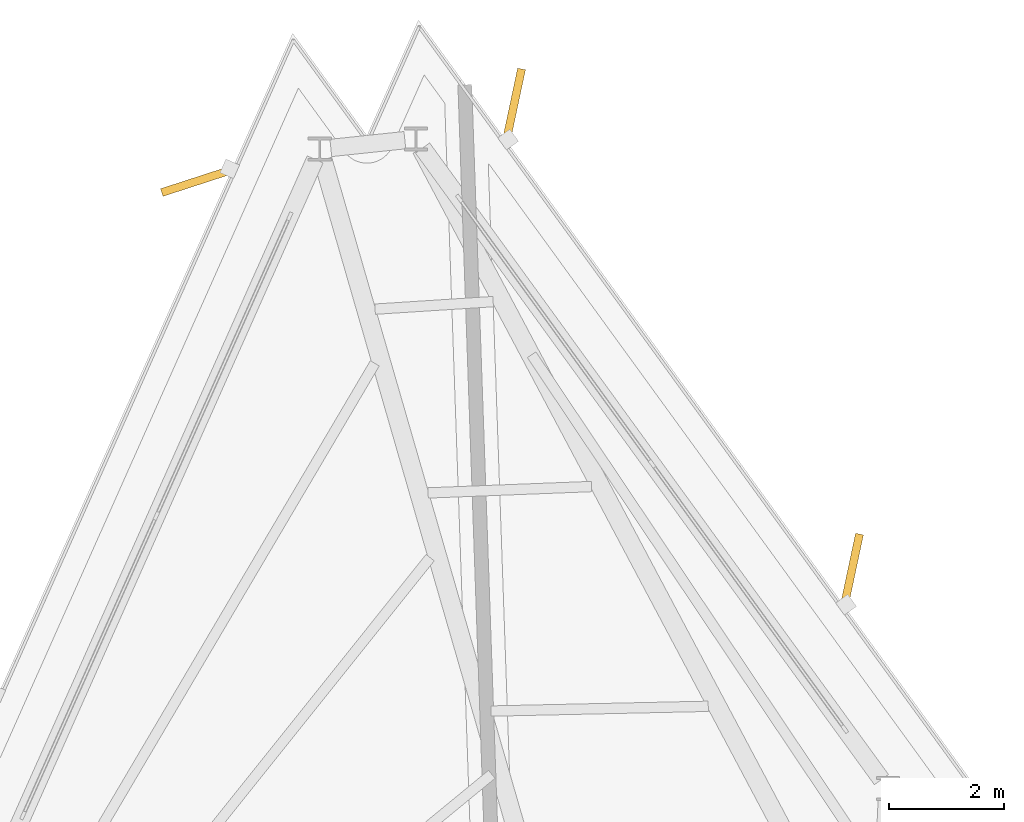
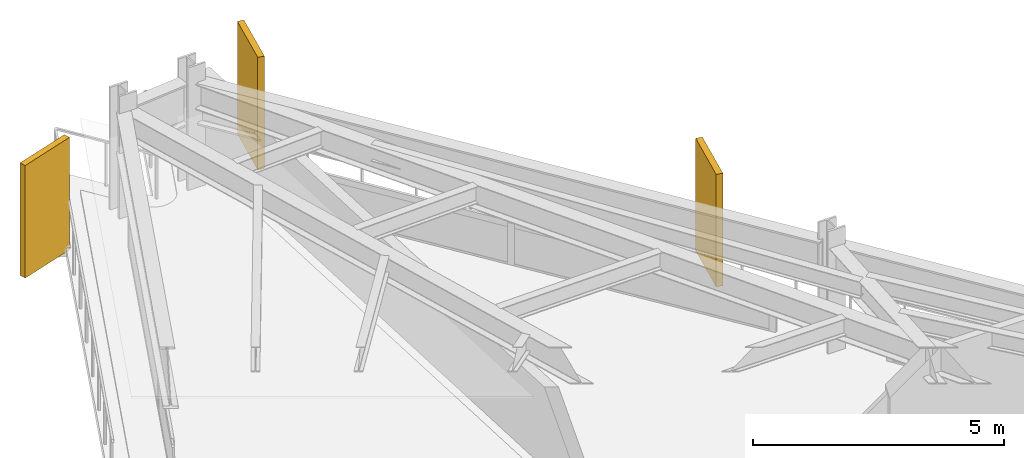
# One storey, part 13 of 13: 3 shading devices.
"""IFC4 building model written with IfcOpenShell, lengths in metres."""

from ifc_helpers import new_model, si_unit, direction, frame, origin, origin_2d, place, context, subcontext, project, spatial, rectangle, extrude, material, layer, layer_set, type_object, element, save


model = new_model("IFC4")

# Units and contexts
model_context = context("Model", 3, precision=1e-05, world=origin(), true_north=direction((0.0, 1.0)))
body_context = subcontext(model_context, "Body", "Model", "MODEL_VIEW")
ifc_project = project(units=[si_unit("LENGTHUNIT", "METRE"), si_unit("AREAUNIT", "SQUARE_METRE"), si_unit("VOLUMEUNIT", "CUBIC_METRE"), si_unit("PLANEANGLEUNIT", "RADIAN"), si_unit("MASSUNIT", "GRAM", prefix="KILO")], contexts=[model_context])

# Site, building, storey
site_placement = place(None, origin())
site = spatial("IfcSite", under=ifc_project, at=site_placement, CompositionType="ELEMENT")
building_placement = place(site_placement, origin())
building = spatial("IfcBuilding", under=site, at=building_placement, Name="Rocaltana Carrier Exchange", CompositionType="ELEMENT")
storey_placement = place(building_placement, frame((0.0, 0.0, 122.8798828125)))
storey = spatial("IfcBuildingStorey", under=building, at=storey_placement, Name="L38", CompositionType="ELEMENT", Elevation=122.8798828125)

# Shading devices
ifc_material = material(Name="Honed Bogota Sandstone & Concrete C45/55", Category="masonry")
ifc_layer = layer(ifc_material, 0.139892578125)
ifc_layer_set = layer_set([ifc_layer], Name="Honed Bogota Sandstone & Concrete C45/55")
shading_device_type = type_object("IfcShadingDeviceType", Name="Vertical Sandstone Shading Fin 1320x140", PredefinedType="USERDEFINED", material=ifc_layer_set)
for number, where, z_axis, x_axis, name in (
    (1, (5.834716796875, 17.11279296875, -0.1201171875), (0.0, 0.0, 1.0), (0.207911690818, 0.978147600734, 0.0), "L38 Sandstone Vertical Fin F1-04"),
    (2, (-0.043212890625, 25.202880859375, -0.1201171875), (0.0, 0.0, 1.0), (0.207911690818, 0.978147600734, 0.0), "L38 Sandstone Vertical Fin F1-05"),
    (3, (-5.535400390625, 23.903076171875, -0.1201171875), (0.0, 0.0, 1.0), (-0.951056516295, -0.309016994375, 0.0), "L38 Sandstone Vertical Fin F2-01"),
):
    element("IfcShadingDevice", number, at=place(storey_placement, frame(where, z_axis=z_axis, x_axis=x_axis)), inside=storey, type_object=shading_device_type, Name=name, ObjectType="FIN", PredefinedType="USERDEFINED", context=body_context, shape_type="SweptSolid", body=[
        extrude(rectangle(XDim=1.320068359375, YDim=0.139892578125, at=origin_2d()), origin(), (0.0, 0.0, 1.0), 2.738037109375),
    ])

save(model, "model.ifc")
